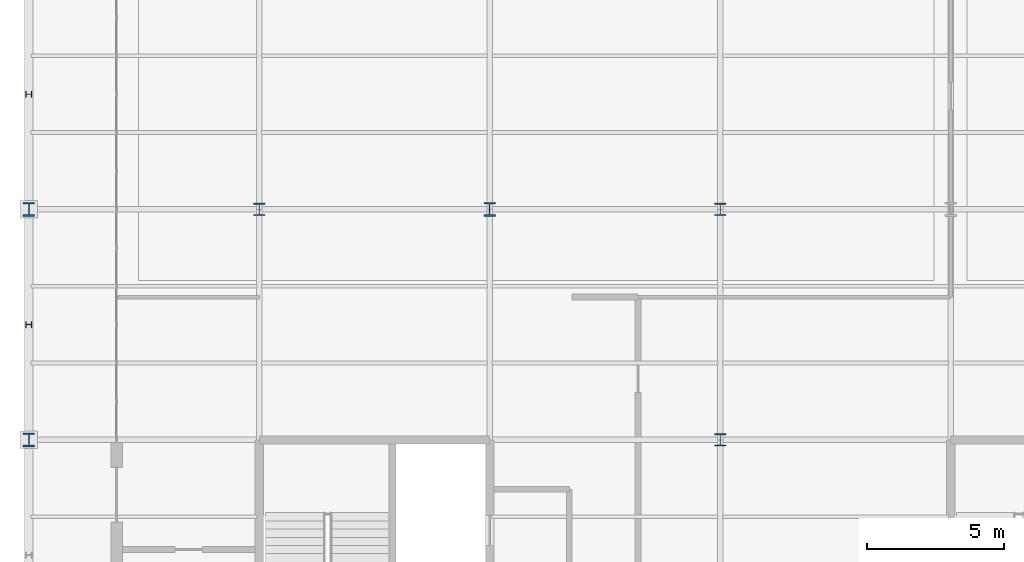
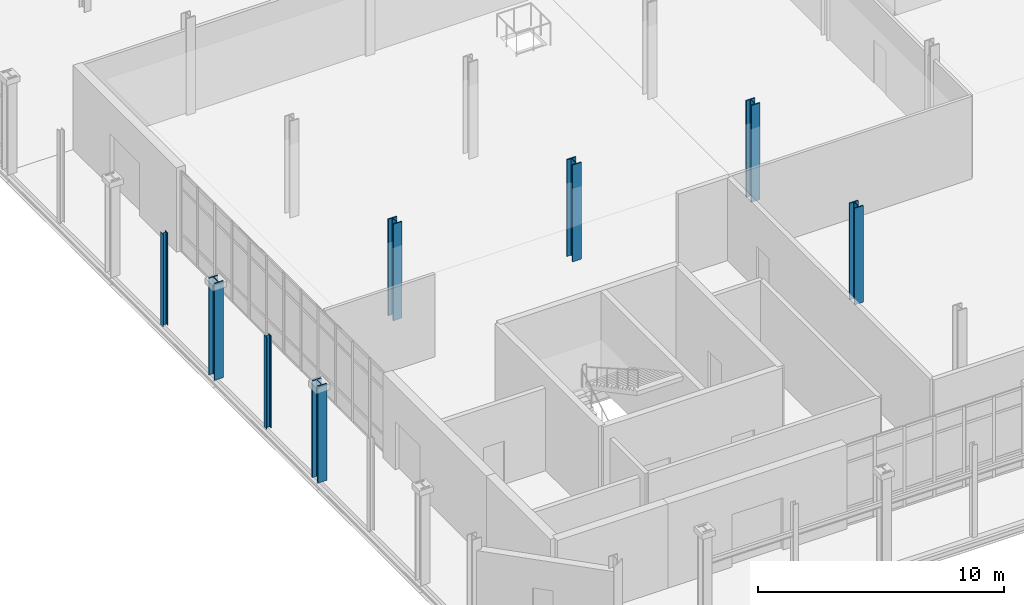
# One storey, part 2 of 145: 8 columns.
"""IFC4 building model written with IfcOpenShell, lengths in metres."""

from ifc_helpers import new_model, si_unit, direction, frame, origin, origin_2d, place, context, subcontext, project, spatial, i_section, extrude, material, material_profile, profile_set, type_object, element, save


model = new_model("IFC4")

# Units and contexts
model_context = context("Model", 3, precision=1e-05, world=origin(), true_north=direction((0.0, 1.0)))
body_context = subcontext(model_context, "Body", "Model", "MODEL_VIEW")
ifc_project = project(units=[si_unit("LENGTHUNIT", "METRE"), si_unit("AREAUNIT", "SQUARE_METRE"), si_unit("VOLUMEUNIT", "CUBIC_METRE"), si_unit("PLANEANGLEUNIT", "RADIAN"), si_unit("MASSUNIT", "GRAM", prefix="KILO")], contexts=[model_context])

# Site, building, storey
site_placement = place(None, origin())
site = spatial("IfcSite", under=ifc_project, at=site_placement, CompositionType="ELEMENT")
building_placement = place(site_placement, origin())
building = spatial("IfcBuilding", under=site, at=building_placement, Name="Qalvenar Corner Mobility Hub", CompositionType="ELEMENT")
storey_placement = place(building_placement, origin())
storey = spatial("IfcBuildingStorey", under=building, at=storey_placement, Name="L00", CompositionType="ELEMENT", Elevation=0.0)

# Columns
ifc_material = material(Name="Steel S355", Category="steel")
ifc_material_profile_1 = material_profile(ifc_material, i_section(OverallWidth=0.412109375, OverallDepth=0.455078125, WebThickness=0.030517578125, FlangeThickness=0.049072265625, FilletRadius=0.014892578125, at=origin_2d()), Name="HD400x421")
ifc_profile_set_1 = profile_set([ifc_material_profile_1], Name="Steel S355")
column_type_1 = type_object("IfcColumnType", Name="COL-HD400X382", PredefinedType="COLUMN", material=ifc_profile_set_1)
for number, where, z_axis, x_axis, name in (
    (1, (8.39990234375, 25.199951171875, 0.0), (0.0, 0.0, 1.0), (1.0, 0.0, 0.0), "Steel Column L00-G2-3"),
    (2, (25.199951171875, 16.800048828125, 0.0), (0.0, 0.0, 1.0), (1.0, 0.0, 0.0), "Steel Column L00-G4-2"),
    (3, (25.199951171875, 25.199951171875, 0.0), (0.0, 0.0, 1.0), (1.0, 0.0, 0.0), "Steel Column L00-G4-3"),
):
    element("IfcColumn", number, at=place(storey_placement, frame(where, z_axis=z_axis, x_axis=x_axis)), inside=storey, type_object=column_type_1, Name=name, PredefinedType="COLUMN", context=body_context, shape_type="SweptSolid", body=[
        extrude(i_section(OverallWidth=0.412109375, OverallDepth=0.455078125, WebThickness=0.030517578125, FlangeThickness=0.049072265625, FilletRadius=0.014892578125, at=origin_2d()), origin(), (0.0, 0.0, 1.0), 4.800048828125),
    ])
ifc_material_profile_2 = material_profile(ifc_material, i_section(OverallWidth=0.419921875, OverallDepth=0.5048828125, WebThickness=0.03662109375, FlangeThickness=0.05908203125, FilletRadius=0.014892578125, at=origin_2d()), Name="HD400x551")
ifc_profile_set_2 = profile_set([ifc_material_profile_2], Name="Steel S355")
column_type_2 = type_object("IfcColumnType", Name="COL-HD400X463", PredefinedType="COLUMN", material=ifc_profile_set_2)
for number, where, z_axis, x_axis, name in (
    (4, (0.0, 16.800048828125, 0.0), (0.0, 0.0, 1.0), (1.0, 0.0, 0.0), "Steel Column L00-G1-2"),
    (5, (0.0, 25.199951171875, 0.0), (0.0, 0.0, 1.0), (1.0, 0.0, 0.0), "Steel Column L00-G1-3"),
    (6, (16.800048828125, 25.199951171875, 0.0), (0.0, 0.0, 1.0), (1.0, 0.0, 0.0), "Steel Column L00-G3-3"),
):
    element("IfcColumn", number, at=place(storey_placement, frame(where, z_axis=z_axis, x_axis=x_axis)), inside=storey, type_object=column_type_2, Name=name, PredefinedType="COLUMN", context=body_context, shape_type="SweptSolid", body=[
        extrude(i_section(OverallWidth=0.419921875, OverallDepth=0.5048828125, WebThickness=0.03662109375, FlangeThickness=0.05908203125, FilletRadius=0.014892578125, at=origin_2d()), origin(), (0.0, 0.0, 1.0), 4.800048828125),
    ])
ifc_material_profile_3 = material_profile(ifc_material, i_section(OverallWidth=0.219970703125, OverallDepth=0.219970703125, WebThickness=0.009521484375, FlangeThickness=0.01611328125, FilletRadius=0.01806640625, at=origin_2d()), Name="HEB220")
ifc_profile_set_3 = profile_set([ifc_material_profile_3], Name="Steel S355")
column_type_3 = type_object("IfcColumnType", Name="COL-PIL-HEB220", PredefinedType="PILASTER", material=ifc_profile_set_3)
for number, where, z_axis, x_axis, name in (
    (7, (0.0, 21.0, 0.0), (0.0, 0.0, 1.0), (0.0, 1.0, 0.0), "Arcade Pilaster PW-07"),
    (8, (0.0, 29.39990234375, 0.0), (0.0, 0.0, 1.0), (0.0, 1.0, 0.0), "Arcade Pilaster PW-08"),
):
    element("IfcColumn", number, at=place(storey_placement, frame(where, z_axis=z_axis, x_axis=x_axis)), inside=storey, type_object=column_type_3, Name=name, PredefinedType="PILASTER", context=body_context, shape_type="SweptSolid", body=[
        extrude(i_section(OverallWidth=0.219970703125, OverallDepth=0.219970703125, WebThickness=0.009521484375, FlangeThickness=0.01611328125, FilletRadius=0.01806640625, at=origin_2d()), origin(), (0.0, 0.0, 1.0), 4.580078125),
    ])

save(model, "model.ifc")
